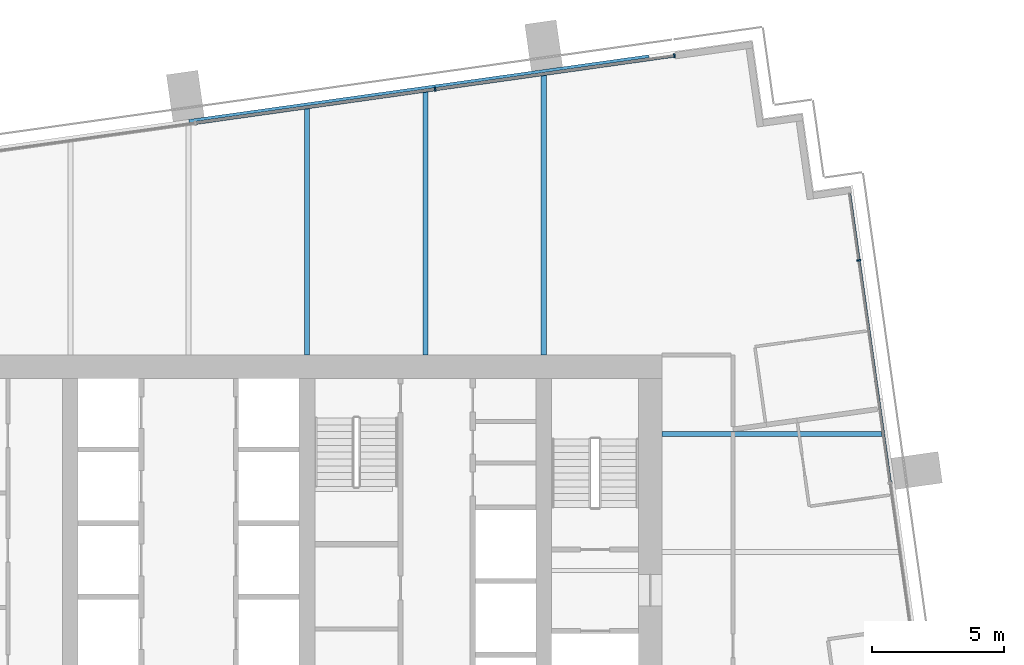
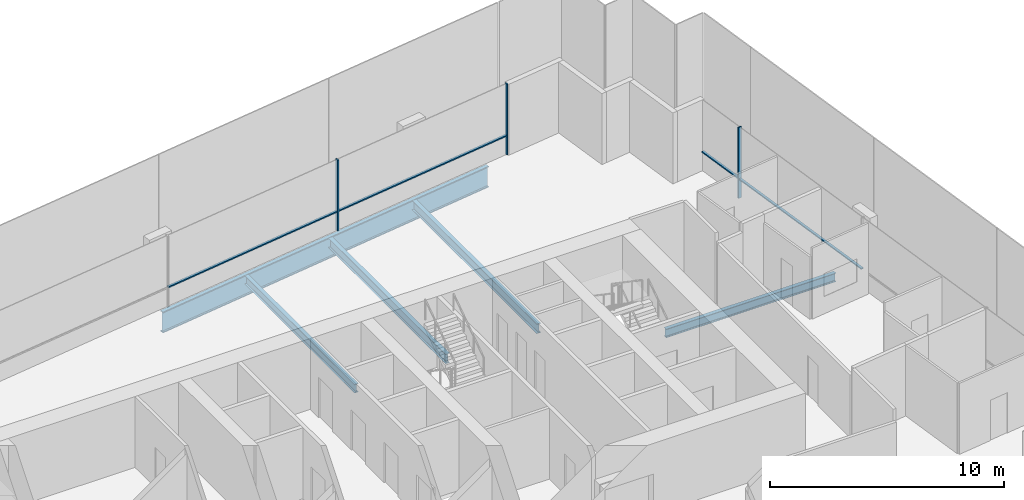
# One storey, part 7 of 17: 7 members, 5 beams, 2 elements without a shape of their own.
"""IFC4 building model written with IfcOpenShell, lengths in metres."""

import ifcopenshell
import ifcopenshell.guid

model = None  # the IFC model being written
_history = None  # IfcOwnerHistory: only IFC2X3 demands one
_inside = {}  # id of a spatial element -> (the spatial element, [elements in it])
_under = {}  # id of a project, library or spatial element -> (it, [spatial elements below it])
_declared = {}  # id of a project -> (the project, [libraries it declares])
_typed = {}  # id of a type object -> (the type object, [elements of that type])
_made_of = {}  # id of a material, layer set ... -> (it, [elements and type objects made of it])


def new_model(schema):
    """Start an empty IFC model of exactly this schema.

    Asked for "IFC4X3", IfcOpenShell would pick the latest addendum, in which some entities
    have other attributes; the version numbers below select the first issue.
    IFC2X3 requires an IfcOwnerHistory on every rooted entity: one is made here for all.
    """
    global model, _history
    if schema == "IFC4X3":
        model = ifcopenshell.file(schema_version=(4, 3, 0, 0))
    else:
        model = ifcopenshell.file(schema=schema)
    _inside.clear()
    _under.clear()
    _declared.clear()
    _typed.clear()
    _made_of.clear()
    _history = None
    if model.schema == "IFC2X3":
        org = make("IfcOrganization", Name="unknown")
        user = make(
            "IfcPersonAndOrganization",
            ThePerson=make("IfcPerson", FamilyName="unknown"),
            TheOrganization=org,
        )
        app = make(
            "IfcApplication",
            ApplicationDeveloper=org,
            Version="unknown",
            ApplicationFullName="unknown",
            ApplicationIdentifier="unknown",
        )
        _history = make(
            "IfcOwnerHistory",
            OwningUser=user,
            OwningApplication=app,
            ChangeAction="ADDED",
            CreationDate=0,
        )
    return model


def make(cls, **values):
    """One entity of the class cls with the attributes given. An attribute that is None is left unset."""
    return model.create_entity(
        cls, **{name: value for name, value in values.items() if value is not None}
    )


def rooted(cls, **values):
    """An entity with a GlobalId (a new one), such as an element, a storey or a relation."""
    return make(cls, GlobalId=ifcopenshell.guid.new(), OwnerHistory=_history, **values)


def si_unit(unit_type, name, prefix=None):
    """IfcSIUnit, for example si_unit("LENGTHUNIT", "METRE", prefix="MILLI")."""
    return make("IfcSIUnit", UnitType=unit_type, Prefix=prefix, Name=name)


def assignment(units):
    """IfcUnitAssignment: the units of a project."""
    return None if units is None else make("IfcUnitAssignment", Units=units)


def point(xyz):
    """IfcCartesianPoint."""
    return None if xyz is None else make("IfcCartesianPoint", Coordinates=xyz)


def direction(xyz):
    """IfcDirection."""
    return None if xyz is None else make("IfcDirection", DirectionRatios=xyz)


def frame(location, z_axis=None, x_axis=None):
    """IfcAxis2Placement3D, a coordinate frame: its origin and axes. An axis left out is left unset."""
    return make(
        "IfcAxis2Placement3D",
        Location=point(location),
        Axis=direction(z_axis),
        RefDirection=direction(x_axis),
    )


def frame_2d(location, x_axis=None):
    """IfcAxis2Placement2D, a coordinate frame in the plane: its origin and x axis."""
    return make(
        "IfcAxis2Placement2D", Location=point(location), RefDirection=direction(x_axis)
    )


def origin():
    """The frame at (0, 0, 0) with its axes left unset."""
    return frame((0.0, 0.0, 0.0))


def origin_2d():
    """The frame at (0, 0) in the plane with its x axis left unset."""
    return frame_2d((0.0, 0.0))


def place(relative_to, where):
    """IfcLocalPlacement: puts the frame where relative to a parent placement (None: the world)."""
    return make(
        "IfcLocalPlacement", PlacementRelTo=relative_to, RelativePlacement=where
    )


def context(
    kind, dimensions, precision=None, world=None, true_north=None, identifier=None
):
    """IfcGeometricRepresentationContext, for example the 3D "Model" context."""
    return make(
        "IfcGeometricRepresentationContext",
        ContextIdentifier=identifier,
        ContextType=kind,
        CoordinateSpaceDimension=dimensions,
        Precision=precision,
        WorldCoordinateSystem=world,
        TrueNorth=true_north,
    )


def subcontext(parent, identifier, kind, view, scale=None):
    """IfcGeometricRepresentationSubContext, for example "Body" below "Model"."""
    return make(
        "IfcGeometricRepresentationSubContext",
        ContextIdentifier=identifier,
        ContextType=kind,
        ParentContext=parent,
        TargetScale=scale,
        TargetView=view,
    )


def project(units=None, contexts=None):
    """IfcProject with its units and contexts."""
    return rooted(
        "IfcProject",
        Name="project",
        RepresentationContexts=contexts,
        UnitsInContext=assignment(units),
    )


def spatial(cls, under=None, at=None, **own):
    """A site, building, storey or space (cls), placed at a placement, below another one or the project."""
    s = rooted(cls, ObjectPlacement=at, **own)
    if under is not None:
        _under.setdefault(under.id(), (under, []))[1].append(s)
    return s


def profile(cls, at=None, kind="AREA", **sizes):
    """A parametric profile (cls). Its sizes go by their IFC names, for example OverallWidth=200.0."""
    return make(cls, ProfileType=kind, Position=at, **sizes)


def rectangle(**sizes):
    """IfcRectangleProfileDef."""
    return profile("IfcRectangleProfileDef", **sizes)


def i_section(**sizes):
    """IfcIShapeProfileDef."""
    return profile("IfcIShapeProfileDef", **sizes)


def extrude(swept, where, along, depth):
    """IfcExtrudedAreaSolid: the profile swept, set in the frame where, extruded along a direction by depth."""
    return make(
        "IfcExtrudedAreaSolid",
        SweptArea=swept,
        Position=where,
        ExtrudedDirection=direction(along),
        Depth=depth,
    )


def shape(context_of_items, identifier, shape_type, items):
    """IfcShapeRepresentation: the items that make up one representation, for example the "Body"."""
    return make(
        "IfcShapeRepresentation",
        ContextOfItems=context_of_items,
        RepresentationIdentifier=identifier,
        RepresentationType=shape_type,
        Items=items,
    )


def material(Name=None, Category=None):
    """IfcMaterial."""
    return make("IfcMaterial", Name=Name, Category=Category)


def material_profile(
    of_material, cross_section, Name=None, Category=None, Priority=None
):
    """IfcMaterialProfile: a cross section and its material."""
    return make(
        "IfcMaterialProfile",
        Name=Name,
        Material=of_material,
        Profile=cross_section,
        Priority=Priority,
        Category=Category,
    )


def profile_set(profiles, Name=None, composite=None):
    """IfcMaterialProfileSet."""
    return make(
        "IfcMaterialProfileSet",
        Name=Name,
        MaterialProfiles=profiles,
        CompositeProfile=composite,
    )


def made_of(thing, what):
    """Note that an element or type object is made of a material, layer set ...; save() writes the relation."""
    if what is not None:
        _made_of.setdefault(what.id(), (what, []))[1].append(thing)
    return thing


def type_object(cls, material=None, **own):
    """A type object (cls), such as IfcWallType, which elements share."""
    return made_of(rooted(cls, **own), material)


def element(
    cls,
    number,
    at=None,
    inside=None,
    cuts=None,
    type_object=None,
    material=None,
    context=None,
    identifier="Body",
    shape_type=None,
    held_by="IfcProductDefinitionShape",
    body=None,
    shapes=None,
    **own,
):
    """One element of the class cls, such as IfcWall. Its Tag is "e" and its number.

    at: its placement. inside: the storey or other place that contains it. cuts: it is an
    opening in that element (IfcRelVoidsElement). A single representation is given by context,
    identifier, shape_type and body (its items); several are given by shapes. held_by: the class
    of the entity that holds the representations. save() writes the other relations.
    """
    e = rooted(cls, Tag="e%d" % number, ObjectPlacement=at, **own)
    if body is not None:
        shapes = [shape(context, identifier, shape_type, body)]
    if shapes is not None:
        e.Representation = make(held_by, Representations=shapes)
    if inside is not None:
        _inside.setdefault(inside.id(), (inside, []))[1].append(e)
    if cuts is not None:
        rooted(
            "IfcRelVoidsElement", RelatingBuildingElement=cuts, RelatedOpeningElement=e
        )
    if type_object is not None:
        _typed.setdefault(type_object.id(), (type_object, []))[1].append(e)
    return made_of(e, material)


def aggregate(whole, parts):
    """IfcRelAggregates: a whole, such as a stair, and the parts it consists of."""
    return rooted("IfcRelAggregates", RelatingObject=whole, RelatedObjects=parts)


def save(model, path):
    """Write the relations noted so far, then the file.

    IfcRelAggregates (storeys below a building ...), IfcRelContainedInSpatialStructure (elements
    in a storey), IfcRelDefinesByType, IfcRelAssociatesMaterial and IfcRelDeclares: one each for
    every whole, place, type object, material and project.
    """
    for whole, parts in _under.values():
        aggregate(whole, parts)
    for where, things in _inside.values():
        rooted(
            "IfcRelContainedInSpatialStructure",
            RelatedElements=things,
            RelatingStructure=where,
        )
    for kind, things in _typed.values():
        rooted("IfcRelDefinesByType", RelatedObjects=things, RelatingType=kind)
    for what, things in _made_of.values():
        rooted("IfcRelAssociatesMaterial", RelatedObjects=things, RelatingMaterial=what)
    for by, libraries in _declared.values():
        rooted("IfcRelDeclares", RelatingContext=by, RelatedDefinitions=libraries)
    model.write(path)


model = new_model("IFC4")

# Units and contexts
model_context = context("Model", 3, precision=1e-05, world=origin(), true_north=direction((0.0, 1.0)))
body_context = subcontext(model_context, "Body", "Model", "MODEL_VIEW")
ifc_project = project(units=[si_unit("LENGTHUNIT", "METRE"), si_unit("AREAUNIT", "SQUARE_METRE"), si_unit("VOLUMEUNIT", "CUBIC_METRE"), si_unit("PLANEANGLEUNIT", "RADIAN"), si_unit("MASSUNIT", "GRAM", prefix="KILO")], contexts=[model_context])

# Site, building, storey
site_placement = place(None, origin())
site = spatial("IfcSite", under=ifc_project, at=site_placement, CompositionType="ELEMENT")
building_placement = place(site_placement, origin())
building = spatial("IfcBuilding", under=site, at=building_placement, Name="Rattan Terrace Tower", CompositionType="ELEMENT")
storey_placement = place(building_placement, frame((0.0, 0.0, 180.199951171875)))
storey = spatial("IfcBuildingStorey", under=building, at=storey_placement, Name="L41", CompositionType="ELEMENT", Elevation=180.199951171875)

# Curtain wall, member
ifc_material_1 = material(Name="Aluminium and glass", Category="aluminium")
curtain_wall_type = type_object("IfcCurtainWallType", Name="Facade Unitised Curtain Wall", PredefinedType="NOTDEFINED", material=ifc_material_1)
curtain_wall_1_placement = place(storey_placement, origin())
curtain_wall_1 = element("IfcCurtainWall", 1, at=curtain_wall_1_placement, inside=storey, type_object=curtain_wall_type, Name="Curtain wall L41-1", PredefinedType="NOTDEFINED")
ifc_material_2 = material(Name="Aluminium", Category="aluminium")
ifc_material_profile_1 = material_profile(ifc_material_2, rectangle(XDim=0.06005859375, YDim=0.159912109375, at=origin_2d()), Name="Aluminium 60x160")
ifc_profile_set_1 = profile_set([ifc_material_profile_1], Name="Aluminium")
member_type_1 = type_object("IfcMemberType", Name="Facade CW Mullion 60x160", PredefinedType="MULLION", material=ifc_profile_set_1)
member_1_placement = place(storey_placement, frame((25.477294921875, 11.092529296875, 0.0), z_axis=(0.0, 0.0, 1.0), x_axis=(-0.139190856006, 0.99026557327, 0.0)))
member_1 = element("IfcMember", 2, at=member_1_placement, type_object=member_type_1, Name="Mullion cwl-L41-001.4", PredefinedType="MULLION", context=body_context, shape_type="SweptSolid", body=[
    extrude(rectangle(XDim=0.06005859375, YDim=0.159912109375, at=origin_2d()), origin(), (0.0, 0.0, 1.0), 3.699951171875),
])

# Curtain wall, members
curtain_wall_2_placement = place(storey_placement, origin())
curtain_wall_2 = element("IfcCurtainWall", 3, at=curtain_wall_2_placement, inside=storey, type_object=curtain_wall_type, Name="Curtain wall L41-2", PredefinedType="NOTDEFINED")
member_2_placement = place(storey_placement, frame((18.467041015625, 18.87255859375, 0.0), z_axis=(0.0, 0.0, 1.0), x_axis=(-0.990269702686, -0.139161474347, 0.0)))
member_2 = element("IfcMember", 4, at=member_2_placement, type_object=member_type_1, Name="Mullion cwl-L41-002.1", PredefinedType="MULLION", context=body_context, shape_type="SweptSolid", body=[
    extrude(rectangle(XDim=0.06005859375, YDim=0.159912109375, at=origin_2d()), origin(), (0.0, 0.0, 1.0), 3.699951171875),
])
member_3_placement = place(storey_placement, frame((9.373291015625, 17.594482421875, 0.0), z_axis=(0.0, 0.0, 1.0), x_axis=(-0.990269702686, -0.139161474347, 0.0)))
member_3 = element("IfcMember", 5, at=member_3_placement, type_object=member_type_1, Name="Mullion cwl-L41-002.2", PredefinedType="MULLION", context=body_context, shape_type="SweptSolid", body=[
    extrude(rectangle(XDim=0.06005859375, YDim=0.159912109375, at=origin_2d()), origin(), (0.0, 0.0, 1.0), 3.699951171875),
])

# Member
ifc_material_3 = material(Name="Aluminium", Category="aluminium")
ifc_material_profile_2 = material_profile(ifc_material_3, rectangle(XDim=0.1201171875, YDim=0.06005859375, at=origin_2d()), Name="Aluminium 120x60")
ifc_profile_set_2 = profile_set([ifc_material_profile_2], Name="Aluminium")
member_type_2 = type_object("IfcMemberType", Name="Facade CW Transom 120x60", PredefinedType="USERDEFINED", material=ifc_profile_set_2)
member_4_placement = place(storey_placement, frame((26.663330078125, 2.655517578125, 1.0), z_axis=(-0.139178607515, 0.99026729483, 0.0), x_axis=(-0.99026729483, -0.139178607515, 0.0)))
member_4 = element("IfcMember", 6, at=member_4_placement, type_object=member_type_2, Name="Transom cwl-L41-001.3", ObjectType="TRANSOM", PredefinedType="USERDEFINED", context=body_context, shape_type="SweptSolid", body=[
    extrude(rectangle(XDim=0.1201171875, YDim=0.06005859375, at=origin_2d()), origin(), (0.0, 0.0, 1.0), 8.489990234375),
])

member_5_placement = place(storey_placement, frame((25.47314453125, 11.122314453125, 1.0), z_axis=(-0.139106713562, 0.990277396613, 0.0), x_axis=(-0.990277396613, -0.139106713562, 0.0)))
member_5 = element("IfcMember", 7, at=member_5_placement, type_object=member_type_2, Name="Transom cwl-L41-001.4", ObjectType="TRANSOM", PredefinedType="USERDEFINED", context=body_context, shape_type="SweptSolid", body=[
    extrude(rectangle(XDim=0.1201171875, YDim=0.06005859375, at=origin_2d()), origin(), (0.0, 0.0, 1.0), 2.525634765625),
])

aggregate(curtain_wall_1, [member_1, member_4, member_5])

member_6_placement = place(storey_placement, frame((18.437255859375, 18.868408203125, 1.0), z_axis=(-0.990266494002, -0.139184305354, 0.0), x_axis=(0.139184305354, -0.990266494002, 0.0)))
member_6 = element("IfcMember", 8, at=member_6_placement, type_object=member_type_2, Name="Transom cwl-L41-002.1", ObjectType="TRANSOM", PredefinedType="USERDEFINED", context=body_context, shape_type="SweptSolid", body=[
    extrude(rectangle(XDim=0.1201171875, YDim=0.06005859375, at=origin_2d()), origin(), (0.0, 0.0, 1.0), 9.123046875),
])

member_7_placement = place(storey_placement, frame((9.343505859375, 17.59033203125, 1.0), z_axis=(-0.990270711765, -0.139154293575, 0.0), x_axis=(0.139154293575, -0.990270711765, 0.0)))
member_7 = element("IfcMember", 9, at=member_7_placement, type_object=member_type_2, Name="Transom cwl-L41-002.2", ObjectType="TRANSOM", PredefinedType="USERDEFINED", context=body_context, shape_type="SweptSolid", body=[
    extrude(rectangle(XDim=0.1201171875, YDim=0.06005859375, at=origin_2d()), origin(), (0.0, 0.0, 1.0), 9.153076171875),
])

aggregate(curtain_wall_2, [member_2, member_3, member_6, member_7])

# Beams
ifc_material_4 = material(Name="Steel S460", Category="steel")
ifc_material_profile_3 = material_profile(ifc_material_4, i_section(OverallWidth=0.179931640625, OverallDepth=1.10009765625, WebThickness=0.01611328125, FlangeThickness=0.050048828125, at=origin_2d()), Name="PG 1100x180-16-50")
ifc_profile_set_3 = profile_set([ifc_material_profile_3], Name="Steel S460")
beam_type_1 = type_object("IfcBeamType", Name="Frame edge girder PG 1100x180-16-50", PredefinedType="SPANDREL", material=ifc_profile_set_3)
beam_1_placement = place(storey_placement, frame((17.4990234375, 18.818115234375, -0.75), z_axis=(-0.990264173921, -0.139200811234, 0.0), x_axis=(0.139200811234, -0.990264173921, 0.0)))
element("IfcBeam", 10, at=beam_1_placement, inside=storey, type_object=beam_type_1, Name="gdr-L41-007", PredefinedType="SPANDREL", context=body_context, shape_type="SweptSolid", body=[
    extrude(i_section(OverallWidth=0.179931640625, OverallDepth=1.10009765625, WebThickness=0.01611328125, FlangeThickness=0.050048828125, at=origin_2d()), origin(), (0.0, 0.0, 1.0), 17.657958984375),
])
ifc_material_5 = material(Name="Steel S355", Category="steel")
ifc_material_profile_4 = material_profile(ifc_material_5, i_section(OverallWidth=0.18994140625, OverallDepth=0.449951171875, WebThickness=0.009521484375, FlangeThickness=0.0146484375, FilletRadius=0.02099609375, at=origin_2d()), Name="IPE 450")
ifc_profile_set_4 = profile_set([ifc_material_profile_4], Name="Steel S355")
beam_type_2 = type_object("IfcBeamType", Name="Frame floor beam IPE 450", PredefinedType="JOIST", material=ifc_profile_set_4)
beam_2_placement = place(storey_placement, frame((18.0, 4.5, -0.425048828125), z_axis=(1.0, 0.0, 0.0), x_axis=(0.0, 1.0, 0.0)))
element("IfcBeam", 11, at=beam_2_placement, inside=storey, type_object=beam_type_2, Name="bm-L41-015", PredefinedType="JOIST", context=body_context, shape_type="SweptSolid", body=[
    extrude(i_section(OverallWidth=0.18994140625, OverallDepth=0.449951171875, WebThickness=0.009521484375, FlangeThickness=0.0146484375, FilletRadius=0.02099609375, at=origin_2d()), origin(), (0.0, 0.0, 1.0), 8.381103515625),
])
beam_3_placement = place(storey_placement, frame((4.5, 7.5, -0.425048828125), z_axis=(0.0, 1.0, 0.0), x_axis=(-1.0, 0.0, 0.0)))
element("IfcBeam", 12, at=beam_3_placement, inside=storey, type_object=beam_type_2, Name="bm-L41-020", PredefinedType="JOIST", context=body_context, shape_type="SweptSolid", body=[
    extrude(i_section(OverallWidth=0.18994140625, OverallDepth=0.449951171875, WebThickness=0.009521484375, FlangeThickness=0.0146484375, FilletRadius=0.02099609375, at=origin_2d()), origin(), (0.0, 0.0, 1.0), 9.385986328125),
])
ifc_material_6 = material(Name="Steel S355", Category="steel")
ifc_material_profile_5 = material_profile(ifc_material_6, i_section(OverallWidth=0.199951171875, OverallDepth=0.5, WebThickness=0.01025390625, FlangeThickness=0.01611328125, FilletRadius=0.02099609375, at=origin_2d()), Name="IPE 500")
ifc_profile_set_5 = profile_set([ifc_material_profile_5], Name="Steel S355")
beam_type_3 = type_object("IfcBeamType", Name="Frame floor beam IPE 500", PredefinedType="JOIST", material=ifc_profile_set_5)
beam_4_placement = place(storey_placement, frame((9.0, 7.5, -0.449951171875), z_axis=(0.0, 1.0, 0.0), x_axis=(-1.0, 0.0, 0.0)))
element("IfcBeam", 13, at=beam_4_placement, inside=storey, type_object=beam_type_3, Name="bm-L41-021", PredefinedType="JOIST", context=body_context, shape_type="SweptSolid", body=[
    extrude(i_section(OverallWidth=0.199951171875, OverallDepth=0.5, WebThickness=0.01025390625, FlangeThickness=0.01611328125, FilletRadius=0.02099609375, at=origin_2d()), origin(), (0.0, 0.0, 1.0), 10.01806640625),
])
beam_5_placement = place(storey_placement, frame((13.5, 7.5, -0.449951171875), z_axis=(0.0, 1.0, 0.0), x_axis=(-1.0, 0.0, 0.0)))
element("IfcBeam", 14, at=beam_5_placement, inside=storey, type_object=beam_type_3, Name="bm-L41-022", PredefinedType="JOIST", context=body_context, shape_type="SweptSolid", body=[
    extrude(i_section(OverallWidth=0.199951171875, OverallDepth=0.5, WebThickness=0.01025390625, FlangeThickness=0.01611328125, FilletRadius=0.02099609375, at=origin_2d()), origin(), (0.0, 0.0, 1.0), 10.65087890625),
])

save(model, "model.ifc")
